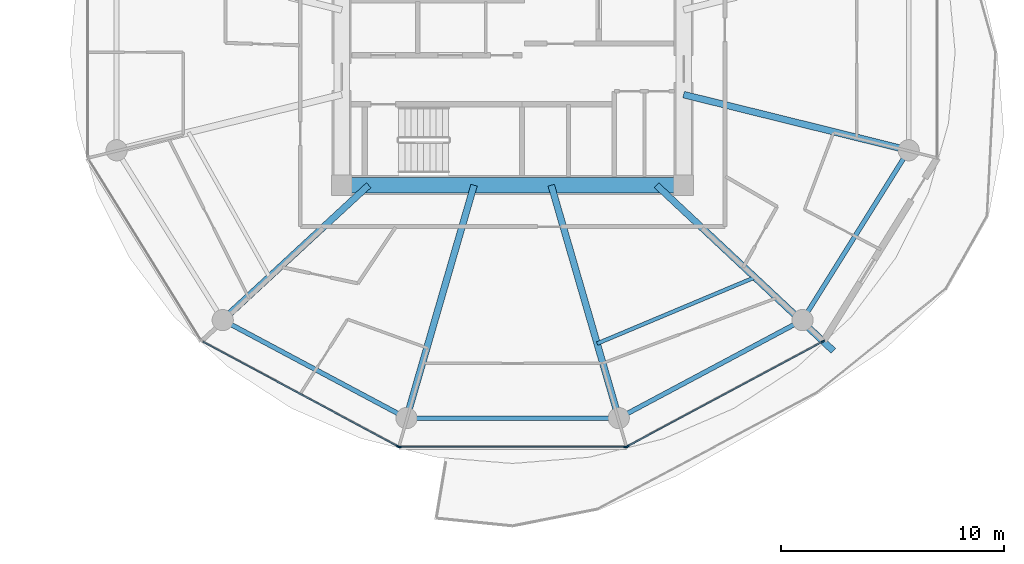
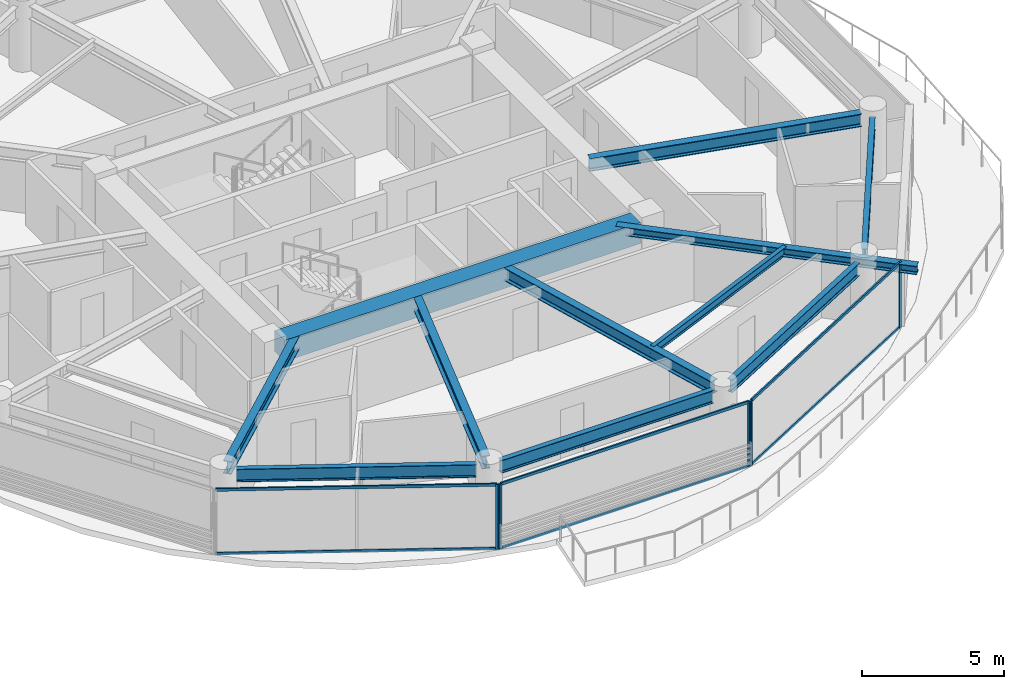
# One storey, part 10 of 27: 11 beams, 11 members, 3 elements without a shape of their own.
"""IFC4 building model written with IfcOpenShell, lengths in metres."""

from ifc_helpers import new_model, si_unit, direction, frame, origin, origin_2d, place, context, subcontext, project, spatial, rectangle, i_section, extrude, source, transform, mapped, material, layer, layer_set, material_profile, profile_set, type_object, type_shapes, element, aggregate, save


model = new_model("IFC4")

# Units and contexts
model_context = context("Model", 3, precision=1e-05, world=origin(), true_north=direction((0.0, 1.0)))
body_context = subcontext(model_context, "Body", "Model", "MODEL_VIEW")
ifc_project = project(units=[si_unit("LENGTHUNIT", "METRE"), si_unit("AREAUNIT", "SQUARE_METRE"), si_unit("VOLUMEUNIT", "CUBIC_METRE"), si_unit("PLANEANGLEUNIT", "RADIAN"), si_unit("MASSUNIT", "GRAM", prefix="KILO")], contexts=[model_context])

# Site, building, storey
site_placement = place(None, origin())
site = spatial("IfcSite", under=ifc_project, at=site_placement, CompositionType="ELEMENT")
building_placement = place(site_placement, origin())
building = spatial("IfcBuilding", under=site, at=building_placement, Name="Norrkilde Senior Care Towers", CompositionType="ELEMENT")
storey_placement = place(building_placement, frame((0.0, 0.0, 30.75)))
storey = spatial("IfcBuildingStorey", under=building, at=storey_placement, Name="L08", CompositionType="ELEMENT", Elevation=30.75)

# Beams
ifc_material_1 = material(Name="Concrete C60/75", Category="concrete")
ifc_material_profile_1 = material_profile(ifc_material_1, rectangle(XDim=0.699951171875, YDim=0.89990234375, at=origin_2d()), Name="RC BM 700x900")
ifc_profile_set_1 = profile_set([ifc_material_profile_1], Name="Concrete C60/75")
beam_type_1 = type_object("IfcBeamType", Name="Core Coupling Girder 700x900", PredefinedType="USERDEFINED", material=ifc_profile_set_1)
shared_shape_1 = source(origin(), body_context, "Body", "SweptSolid", [
    extrude(rectangle(XDim=0.699951171875, YDim=0.89990234375, at=origin_2d()), origin(), (0.0, 0.0, 1.0), 14.43994140625),
])
type_shapes(beam_type_1, [shared_shape_1])
beam_1_placement = place(storey_placement, frame((20.780029296875, -5.949951171875, 2.340087890625), z_axis=(1.0, 0.0, 0.0), x_axis=(0.0, 1.0, 0.0)))
element("IfcBeam", 1, at=beam_1_placement, inside=storey, type_object=beam_type_1, Name="L08 Core E S Coupling Girder", ObjectType="GIRDER", PredefinedType="USERDEFINED", context=body_context, shape_type="MappedRepresentation", body=[
    mapped(shared_shape_1, transform((0.0, 0.0, 0.0), x_axis=(1.0, 0.0, 0.0), y_axis=(0.0, 1.0, 0.0), z_axis=(0.0, 0.0, 1.0), scale=1.0)),
])
ifc_material_2 = material(Name="Steel S355", Category="steel")
ifc_material_profile_2 = material_profile(ifc_material_2, i_section(OverallWidth=0.2099609375, OverallDepth=0.550048828125, WebThickness=0.010986328125, FlangeThickness=0.01708984375, FilletRadius=0.02392578125, at=origin_2d()), Name="IPE 550")
ifc_profile_set_2 = profile_set([ifc_material_profile_2], Name="Steel S355")
beam_type_2 = type_object("IfcBeamType", Name="Perimeter Ring Spandrel Z1 IPE550", PredefinedType="SPANDREL", material=ifc_profile_set_2)
shared_shape_2 = source(origin(), body_context, "Body", "SweptSolid", [
    extrude(i_section(OverallWidth=0.2099609375, OverallDepth=0.550048828125, WebThickness=0.010986328125, FlangeThickness=0.01708984375, FilletRadius=0.02392578125, at=origin_2d()), origin(), (0.0, 0.0, 1.0), 8.090576171875),
])
beam_2_placement = place(storey_placement, frame((41.2060546875, -11.61669921875, 2.514892578125), z_axis=(0.530004364821, 0.84799491347, 0.0), x_axis=(-0.84799491347, 0.530004364821, 0.0)))
element("IfcBeam", 2, at=beam_2_placement, inside=storey, type_object=beam_type_2, Name="L08 Drum E Perimeter Spandrel 11", PredefinedType="SPANDREL", context=body_context, shape_type="MappedRepresentation", body=[
    mapped(shared_shape_2, transform((0.0, 0.0, 0.0), x_axis=(1.0, 0.0, 0.0), y_axis=(0.0, 1.0, 0.0), z_axis=(0.0, 0.0, 1.0), scale=1.0)),
])
ifc_material_profile_3 = material_profile(ifc_material_2, i_section(OverallWidth=0.300048828125, OverallDepth=0.550048828125, WebThickness=0.014892578125, FlangeThickness=0.029052734375, FilletRadius=0.027099609375, at=origin_2d()), Name="HEB 550")
ifc_profile_set_3 = profile_set([ifc_material_profile_3], Name="Steel S355")
beam_type_3 = type_object("IfcBeamType", Name="Radial Floor Beam Z1 HEB550", PredefinedType="BEAM", material=ifc_profile_set_3)
shared_shape_3 = source(origin(), body_context, "Body", "SweptSolid", [
    extrude(i_section(OverallWidth=0.300048828125, OverallDepth=0.550048828125, WebThickness=0.014892578125, FlangeThickness=0.029052734375, FilletRadius=0.027099609375, at=origin_2d()), origin(), (0.0, 0.0, 1.0), 9.94384765625),
])
beam_3_placement = place(storey_placement, frame((35.64990234375, -1.893310546875, 2.514892578125), z_axis=(0.970707425182, -0.240264634718, 0.0), x_axis=(0.240264634718, 0.970707425182, 0.0)))
element("IfcBeam", 3, at=beam_3_placement, inside=storey, type_object=beam_type_3, Name="L08 Drum E Radial Floor Beam 12", PredefinedType="BEAM", context=body_context, shape_type="MappedRepresentation", body=[
    mapped(shared_shape_3, transform((0.0, 0.0, 0.0), x_axis=(1.0, 0.0, 0.0), y_axis=(0.0, 1.0, 0.0), z_axis=(0.0, 0.0, 1.0), scale=1.0)),
])
shared_shape_4 = source(origin(), body_context, "Body", "SweptSolid", [
    extrude(i_section(OverallWidth=0.2099609375, OverallDepth=0.550048828125, WebThickness=0.010986328125, FlangeThickness=0.01708984375, FilletRadius=0.02392578125, at=origin_2d()), origin(), (0.0, 0.0, 1.0), 8.452880859375),
])
for number, where, z_axis, x_axis, name in (
    (4, (15.408447265625, -12.190185546875, 2.514892578125), (0.882368931134, -0.470558252898, 0.0), (0.470558252898, 0.882368931134, 0.0), "L08 Drum E Perimeter Spandrel 08"),
    (5, (33.133056640625, -16.167724609375, 2.514892578125), (0.882368931134, 0.470558252898, 0.0), (-0.470558252898, 0.882368931134, 0.0), "L08 Drum E Perimeter Spandrel 10"),
):
    element("IfcBeam", number, at=place(storey_placement, frame(where, z_axis=z_axis, x_axis=x_axis)), inside=storey, type_object=beam_type_2, Name=name, PredefinedType="SPANDREL", context=body_context, shape_type="MappedRepresentation", body=[
        mapped(shared_shape_4, transform((0.0, 0.0, 0.0), x_axis=(1.0, 0.0, 0.0), y_axis=(0.0, 1.0, 0.0), z_axis=(0.0, 0.0, 1.0), scale=1.0)),
    ])
shared_shape_5 = source(origin(), body_context, "Body", "SweptSolid", [
    extrude(i_section(OverallWidth=0.300048828125, OverallDepth=0.550048828125, WebThickness=0.014892578125, FlangeThickness=0.029052734375, FilletRadius=0.027099609375, at=origin_2d()), origin(), (0.0, 0.0, 1.0), 8.459716796875),
])
beam_4_placement = place(storey_placement, frame((21.55859375, -5.949951171875, 2.514892578125), z_axis=(-0.734573269108, -0.678529374686, 0.0), x_axis=(0.678529374686, -0.734573269108, 0.0)))
element("IfcBeam", 6, at=beam_4_placement, inside=storey, type_object=beam_type_3, Name="L08 Drum E Radial Floor Beam 08", PredefinedType="BEAM", context=body_context, shape_type="MappedRepresentation", body=[
    mapped(shared_shape_5, transform((0.0, 0.0, 0.0), x_axis=(1.0, 0.0, 0.0), y_axis=(0.0, 1.0, 0.0), z_axis=(0.0, 0.0, 1.0), scale=1.0)),
])
shared_shape_6 = source(origin(), body_context, "Body", "SweptSolid", [
    extrude(i_section(OverallWidth=0.2099609375, OverallDepth=0.550048828125, WebThickness=0.010986328125, FlangeThickness=0.01708984375, FilletRadius=0.02392578125, at=origin_2d()), origin(), (0.0, 0.0, 1.0), 8.62841796875),
])
type_shapes(beam_type_2, [shared_shape_2, shared_shape_4, shared_shape_6])
beam_5_placement = place(storey_placement, frame((23.685791015625, -16.37255859375, 2.514892578125), z_axis=(1.0, 0.0, 0.0), x_axis=(0.0, 1.0, 0.0)))
element("IfcBeam", 7, at=beam_5_placement, inside=storey, type_object=beam_type_2, Name="L08 Drum E Perimeter Spandrel 09", PredefinedType="SPANDREL", context=body_context, shape_type="MappedRepresentation", body=[
    mapped(shared_shape_6, transform((0.0, 0.0, 0.0), x_axis=(1.0, 0.0, 0.0), y_axis=(0.0, 1.0, 0.0), z_axis=(0.0, 0.0, 1.0), scale=1.0)),
])
shared_shape_7 = source(origin(), body_context, "Body", "SweptSolid", [
    extrude(i_section(OverallWidth=0.300048828125, OverallDepth=0.550048828125, WebThickness=0.014892578125, FlangeThickness=0.029052734375, FilletRadius=0.027099609375, at=origin_2d()), origin(), (0.0, 0.0, 1.0), 10.4169921875),
])
type_shapes(beam_type_3, [shared_shape_3, shared_shape_5, shared_shape_7])
for number, where, z_axis, x_axis, name in (
    (8, (26.27392578125, -5.949951171875, 2.514892578125), (-0.278591250785, -0.960409764104, 0.0), (0.960409764104, -0.278591250785, 0.0), "L08 Drum E Radial Floor Beam 09"),
    (9, (29.72607421875, -5.949951171875, 2.514892578125), (0.278591250785, -0.960409764104, 0.0), (0.960409764104, 0.278591250785, 0.0), "L08 Drum E Radial Floor Beam 10"),
):
    element("IfcBeam", number, at=place(storey_placement, frame(where, z_axis=z_axis, x_axis=x_axis)), inside=storey, type_object=beam_type_3, Name=name, PredefinedType="BEAM", context=body_context, shape_type="MappedRepresentation", body=[
        mapped(shared_shape_7, transform((0.0, 0.0, 0.0), x_axis=(1.0, 0.0, 0.0), y_axis=(0.0, 1.0, 0.0), z_axis=(0.0, 0.0, 1.0), scale=1.0)),
    ])
ifc_material_profile_4 = material_profile(ifc_material_2, i_section(OverallWidth=0.169921875, OverallDepth=0.360107421875, WebThickness=0.008056640625, FlangeThickness=0.0126953125, FilletRadius=0.01806640625, at=origin_2d()), Name="IPE 360")
ifc_profile_set_4 = profile_set([ifc_material_profile_4], Name="Steel S355")
beam_type_4 = type_object("IfcBeamType", Name="Secondary Floor Joist IPE360", PredefinedType="JOIST", material=ifc_profile_set_4)
shared_shape_8 = source(origin(), body_context, "Body", "SweptSolid", [
    extrude(i_section(OverallWidth=0.169921875, OverallDepth=0.360107421875, WebThickness=0.008056640625, FlangeThickness=0.0126953125, FilletRadius=0.01806640625, at=origin_2d()), origin(), (0.0, 0.0, 1.0), 7.703857421875),
])
type_shapes(beam_type_4, [shared_shape_8])
beam_6_placement = place(storey_placement, frame((31.78173828125, -13.037353515625, 2.610107421875), z_axis=(0.921982784465, 0.387230868023, 0.0), x_axis=(-0.387230868023, 0.921982784465, 0.0)))
element("IfcBeam", 10, at=beam_6_placement, inside=storey, type_object=beam_type_4, Name="L08 Drum E Secondary Floor Joist 4", PredefinedType="JOIST", context=body_context, shape_type="MappedRepresentation", body=[
    mapped(shared_shape_8, transform((0.0, 0.0, 0.0), x_axis=(1.0, 0.0, 0.0), y_axis=(0.0, 1.0, 0.0), z_axis=(0.0, 0.0, 1.0), scale=1.0)),
])
ifc_material_profile_5 = material_profile(ifc_material_2, i_section(OverallWidth=0.300048828125, OverallDepth=0.360107421875, WebThickness=0.012451171875, FlangeThickness=0.0224609375, FilletRadius=0.027099609375, at=origin_2d()), Name="HEB 360")
ifc_profile_set_5 = profile_set([ifc_material_profile_5], Name="Steel S355")
beam_type_5 = type_object("IfcBeamType", Name="Balcony Crest Cantilever Rib HEB360", PredefinedType="BEAM", material=ifc_profile_set_5)
shared_shape_9 = source(origin(), body_context, "Body", "SweptSolid", [
    extrude(i_section(OverallWidth=0.300048828125, OverallDepth=0.360107421875, WebThickness=0.012451171875, FlangeThickness=0.0224609375, FilletRadius=0.027099609375, at=origin_2d()), origin(), (0.0, 0.0, 1.0), 10.84375),
])
type_shapes(beam_type_5, [shared_shape_9])
beam_7_placement = place(storey_placement, frame((34.44140625, -5.949951171875, 2.610107421875), z_axis=(0.729720430815, -0.683745634612, 0.0), x_axis=(0.683745634612, 0.729720430815, 0.0)))
element("IfcBeam", 11, at=beam_7_placement, inside=storey, type_object=beam_type_5, Name="L08 Drum E Balcony Cantilever Rib", PredefinedType="BEAM", context=body_context, shape_type="MappedRepresentation", body=[
    mapped(shared_shape_9, transform((0.0, 0.0, 0.0), x_axis=(1.0, 0.0, 0.0), y_axis=(0.0, 1.0, 0.0), z_axis=(0.0, 0.0, 1.0), scale=1.0)),
])

# Curtain wall, member
ifc_material_3 = material(Name="Triple Low-E Insulated Glazing", Category="glass")
ifc_layer = layer(ifc_material_3, 0.199951171875)
ifc_layer_set = layer_set([ifc_layer], Name="Triple Low-E Insulated Glazing")
curtain_wall_type = type_object("IfcCurtainWallType", Name="CW2 Zone 1 Memory Care Curtain Wall", PredefinedType="NOTDEFINED", material=ifc_layer_set)
curtain_wall_1_placement = place(storey_placement, origin())
curtain_wall_1 = element("IfcCurtainWall", 12, at=curtain_wall_1_placement, inside=storey, type_object=curtain_wall_type, Name="L08 Drum E Curtain Wall 07", PredefinedType="NOTDEFINED")
ifc_material_4 = material(Name="Anodised Aluminium", Category="aluminium")
ifc_material_profile_6 = material_profile(ifc_material_4, rectangle(XDim=0.06494140625, YDim=0.159912109375, at=origin_2d()), Name="ALU MULL 65x160")
ifc_profile_set_6 = profile_set([ifc_material_profile_6], Name="Anodised Aluminium")
member_type_1 = type_object("IfcMemberType", Name="Curtain Wall Mullion Z1-Z2 65x160", PredefinedType="MULLION", material=ifc_profile_set_6)
shared_shape_10 = source(origin(), body_context, "Body", "SweptSolid", [
    extrude(rectangle(XDim=0.06494140625, YDim=0.159912109375, at=origin_2d()), origin(), (0.0, 0.0, 1.0), 2.7900390625),
])
type_shapes(member_type_1, [shared_shape_10])
member_1_placement = place(storey_placement, frame((22.877685546875, -17.641845703125, 0.0), z_axis=(0.0, 0.0, 1.0), x_axis=(-0.472607802456, -0.881272866403, 0.0)))
member_1 = element("IfcMember", 13, at=member_1_placement, type_object=member_type_1, Name="CW-2 mullion 1", PredefinedType="MULLION", context=body_context, shape_type="MappedRepresentation", body=[
    mapped(shared_shape_10, transform((0.0, 0.0, 0.0), x_axis=(1.0, 0.0, 0.0), y_axis=(0.0, 1.0, 0.0), z_axis=(0.0, 0.0, 1.0), scale=1.0)),
])

# Curtain wall, members
curtain_wall_2_placement = place(storey_placement, origin())
curtain_wall_2 = element("IfcCurtainWall", 14, at=curtain_wall_2_placement, inside=storey, type_object=curtain_wall_type, Name="L08 Drum E Curtain Wall 08", PredefinedType="NOTDEFINED")
member_2_placement = place(storey_placement, frame((33.06103515625, -17.6572265625, 0.0), z_axis=(0.0, 0.0, 1.0), x_axis=(0.0, -1.0, 0.0)))
member_2 = element("IfcMember", 15, at=member_2_placement, type_object=member_type_1, Name="CW-2 mullion 1", PredefinedType="MULLION", context=body_context, shape_type="MappedRepresentation", body=[
    mapped(shared_shape_10, transform((0.0, 0.0, 0.0), x_axis=(1.0, 0.0, 0.0), y_axis=(0.0, 1.0, 0.0), z_axis=(0.0, 0.0, 1.0), scale=1.0)),
])
member_3_placement = place(storey_placement, frame((22.93896484375, -17.6572265625, 0.0), z_axis=(0.0, 0.0, 1.0), x_axis=(0.0, -1.0, 0.0)))
member_3 = element("IfcMember", 16, at=member_3_placement, type_object=member_type_1, Name="CW-2 mullion 2", PredefinedType="MULLION", context=body_context, shape_type="MappedRepresentation", body=[
    mapped(shared_shape_10, transform((0.0, 0.0, 0.0), x_axis=(1.0, 0.0, 0.0), y_axis=(0.0, 1.0, 0.0), z_axis=(0.0, 0.0, 1.0), scale=1.0)),
])

curtain_wall_3_placement = place(storey_placement, origin())
curtain_wall_3 = element("IfcCurtainWall", 17, at=curtain_wall_3_placement, inside=storey, type_object=curtain_wall_type, Name="L08 Drum E Curtain Wall 09", PredefinedType="NOTDEFINED")
member_4_placement = place(storey_placement, frame((41.88720703125, -12.941162109375, 0.0), z_axis=(0.0, 0.0, 1.0), x_axis=(0.472607802456, -0.881272866403, 0.0)))
member_4 = element("IfcMember", 18, at=member_4_placement, type_object=member_type_1, Name="CW-2 mullion 1", PredefinedType="MULLION", context=body_context, shape_type="MappedRepresentation", body=[
    mapped(shared_shape_10, transform((0.0, 0.0, 0.0), x_axis=(1.0, 0.0, 0.0), y_axis=(0.0, 1.0, 0.0), z_axis=(0.0, 0.0, 1.0), scale=1.0)),
])
member_5_placement = place(storey_placement, frame((33.122314453125, -17.641845703125, 0.0), z_axis=(0.0, 0.0, 1.0), x_axis=(0.472607802456, -0.881272866403, 0.0)))
member_5 = element("IfcMember", 19, at=member_5_placement, type_object=member_type_1, Name="CW-2 mullion 2", PredefinedType="MULLION", context=body_context, shape_type="MappedRepresentation", body=[
    mapped(shared_shape_10, transform((0.0, 0.0, 0.0), x_axis=(1.0, 0.0, 0.0), y_axis=(0.0, 1.0, 0.0), z_axis=(0.0, 0.0, 1.0), scale=1.0)),
])

# Member
ifc_material_profile_7 = material_profile(ifc_material_4, rectangle(XDim=0.06005859375, YDim=0.1201171875, at=origin_2d()), Name="ALU TRAN 60x120")
ifc_profile_set_7 = profile_set([ifc_material_profile_7], Name="Anodised Aluminium")
member_type_2 = type_object("IfcMemberType", Name="Curtain Wall Transom Typical 60x120", PredefinedType="USERDEFINED", material=ifc_profile_set_7)
shared_shape_11 = source(origin(), body_context, "Body", "SweptSolid", [
    extrude(rectangle(XDim=0.06005859375, YDim=0.1201171875, at=origin_2d()), origin(), (0.0, 0.0, 1.0), 9.880859375),
])
member_6_placement = place(storey_placement, frame((22.84912109375, -17.62646484375, 0.030029296875), z_axis=(-0.881267204043, 0.47261836092, 0.0), x_axis=(-0.47261836092, -0.881267204043, 0.0)))
member_6 = element("IfcMember", 20, at=member_6_placement, type_object=member_type_2, Name="CW-2 transom 1.1", ObjectType="TRANSOM", PredefinedType="USERDEFINED", context=body_context, shape_type="MappedRepresentation", body=[
    mapped(shared_shape_11, transform((0.0, 0.0, 0.0), x_axis=(1.0, 0.0, 0.0), y_axis=(0.0, 1.0, 0.0), z_axis=(0.0, 0.0, 1.0), scale=1.0)),
])

member_7_placement = place(storey_placement, frame((22.84912109375, -17.62646484375, 2.760009765625), z_axis=(-0.881267204043, 0.47261836092, 0.0), x_axis=(-0.47261836092, -0.881267204043, 0.0)))
member_7 = element("IfcMember", 21, at=member_7_placement, type_object=member_type_2, Name="CW-2 transom 1.2", ObjectType="TRANSOM", PredefinedType="USERDEFINED", context=body_context, shape_type="MappedRepresentation", body=[
    mapped(shared_shape_11, transform((0.0, 0.0, 0.0), x_axis=(1.0, 0.0, 0.0), y_axis=(0.0, 1.0, 0.0), z_axis=(0.0, 0.0, 1.0), scale=1.0)),
])

aggregate(curtain_wall_1, [member_1, member_6, member_7])

member_8_placement = place(storey_placement, frame((41.858642578125, -12.95654296875, 0.030029296875), z_axis=(-0.881267204043, -0.47261836092, 0.0), x_axis=(0.47261836092, -0.881267204043, 0.0)))
member_8 = element("IfcMember", 22, at=member_8_placement, type_object=member_type_2, Name="CW-2 transom 1.1", ObjectType="TRANSOM", PredefinedType="USERDEFINED", context=body_context, shape_type="MappedRepresentation", body=[
    mapped(shared_shape_11, transform((0.0, 0.0, 0.0), x_axis=(1.0, 0.0, 0.0), y_axis=(0.0, 1.0, 0.0), z_axis=(0.0, 0.0, 1.0), scale=1.0)),
])

member_9_placement = place(storey_placement, frame((41.858642578125, -12.95654296875, 2.760009765625), z_axis=(-0.881267204043, -0.47261836092, 0.0), x_axis=(0.47261836092, -0.881267204043, 0.0)))
member_9 = element("IfcMember", 23, at=member_9_placement, type_object=member_type_2, Name="CW-2 transom 1.2", ObjectType="TRANSOM", PredefinedType="USERDEFINED", context=body_context, shape_type="MappedRepresentation", body=[
    mapped(shared_shape_11, transform((0.0, 0.0, 0.0), x_axis=(1.0, 0.0, 0.0), y_axis=(0.0, 1.0, 0.0), z_axis=(0.0, 0.0, 1.0), scale=1.0)),
])

aggregate(curtain_wall_3, [member_4, member_5, member_8, member_9])

shared_shape_12 = source(origin(), body_context, "Body", "SweptSolid", [
    extrude(rectangle(XDim=0.06005859375, YDim=0.1201171875, at=origin_2d()), origin(), (0.0, 0.0, 1.0), 10.05712890625),
])
type_shapes(member_type_2, [shared_shape_11, shared_shape_12])
member_10_placement = place(storey_placement, frame((33.028564453125, -17.6572265625, 0.030029296875), z_axis=(-1.0, 0.0, 0.0), x_axis=(0.0, -1.0, 0.0)))
member_10 = element("IfcMember", 24, at=member_10_placement, type_object=member_type_2, Name="CW-2 transom 1.1", ObjectType="TRANSOM", PredefinedType="USERDEFINED", context=body_context, shape_type="MappedRepresentation", body=[
    mapped(shared_shape_12, transform((0.0, 0.0, 0.0), x_axis=(1.0, 0.0, 0.0), y_axis=(0.0, 1.0, 0.0), z_axis=(0.0, 0.0, 1.0), scale=1.0)),
])

member_11_placement = place(storey_placement, frame((33.028564453125, -17.6572265625, 2.760009765625), z_axis=(-1.0, 0.0, 0.0), x_axis=(0.0, -1.0, 0.0)))
member_11 = element("IfcMember", 25, at=member_11_placement, type_object=member_type_2, Name="CW-2 transom 1.2", ObjectType="TRANSOM", PredefinedType="USERDEFINED", context=body_context, shape_type="MappedRepresentation", body=[
    mapped(shared_shape_12, transform((0.0, 0.0, 0.0), x_axis=(1.0, 0.0, 0.0), y_axis=(0.0, 1.0, 0.0), z_axis=(0.0, 0.0, 1.0), scale=1.0)),
])

aggregate(curtain_wall_2, [member_2, member_3, member_10, member_11])

save(model, "model.ifc")
